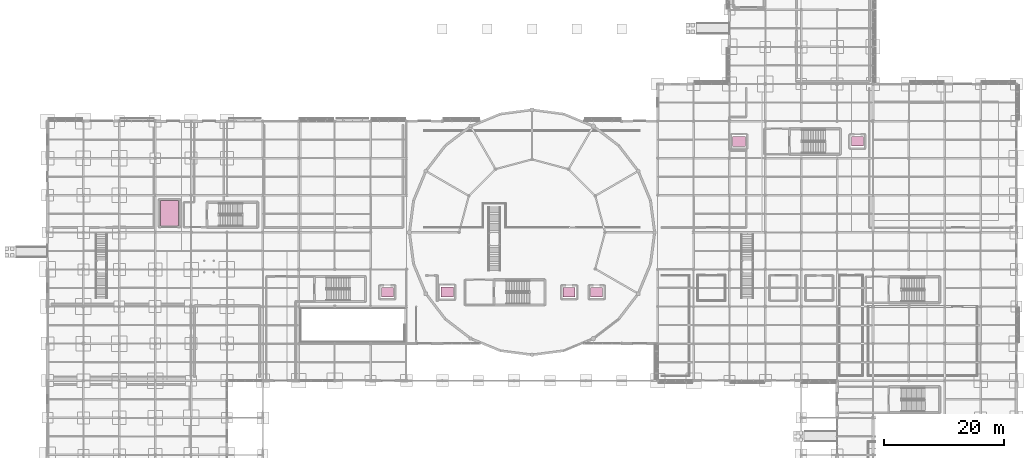
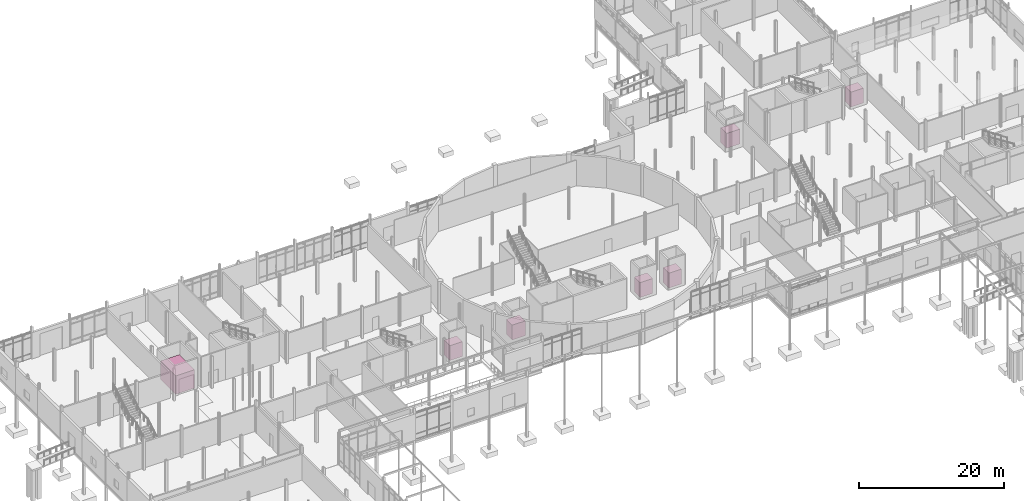
# One storey, part 98 of 98: 7 transport elements.
"""IFC4 building model written with IfcOpenShell, lengths in metres."""

from ifc_helpers import new_model, si_unit, direction, frame, origin, origin_2d, place, context, subcontext, project, spatial, rectangle, extrude, material, type_object, element, save


model = new_model("IFC4")

# Units and contexts
model_context = context("Model", 3, precision=1e-05, world=origin(), true_north=direction((0.0, 1.0)))
body_context = subcontext(model_context, "Body", "Model", "MODEL_VIEW")
ifc_project = project(units=[si_unit("LENGTHUNIT", "METRE"), si_unit("AREAUNIT", "SQUARE_METRE"), si_unit("VOLUMEUNIT", "CUBIC_METRE"), si_unit("PLANEANGLEUNIT", "RADIAN"), si_unit("MASSUNIT", "GRAM", prefix="KILO")], contexts=[model_context])

# Site, building, storey
site_placement = place(None, origin())
site = spatial("IfcSite", under=ifc_project, at=site_placement, CompositionType="ELEMENT")
building_placement = place(site_placement, origin())
building = spatial("IfcBuilding", under=site, at=building_placement, Name="Mirzam Square Science Centre", CompositionType="ELEMENT")
storey_placement = place(building_placement, origin())
storey = spatial("IfcBuildingStorey", under=building, at=storey_placement, Name="L00", CompositionType="ELEMENT", Elevation=0.0)

# Transport elements
ifc_material_1 = material(Name="Firefighting Stainless Steel 316L Lift Car", Category="steel")
transport_element_type_1 = type_object("IfcTransportElementType", Name="LIFT-FIRE-2000", PredefinedType="ELEVATOR", material=ifc_material_1)
for number, where, z_axis, x_axis, name in (
    (1, (66.800048828125, 52.0, 0.0), (0.0, 0.0, 1.0), (1.0, 0.0, 0.0), "Firefighting and Stretcher Lifts LF-01"),
    (2, (115.60009765625, 77.199951171875, 0.0), (0.0, 0.0, 1.0), (1.0, 0.0, 0.0), "Firefighting and Stretcher Lifts LF-02"),
):
    element("IfcTransportElement", number, at=place(storey_placement, frame(where, z_axis=z_axis, x_axis=x_axis)), inside=storey, type_object=transport_element_type_1, Name=name, PredefinedType="ELEVATOR", context=body_context, shape_type="SweptSolid", body=[
        extrude(rectangle(XDim=2.10009765625, YDim=1.64990234375, at=origin_2d()), origin(), (0.0, 0.0, 1.0), 2.5),
    ])
ifc_material_2 = material(Name="Heavy-Duty Freight Stainless Steel Lift Car", Category="steel")
transport_element_type_2 = type_object("IfcTransportElementType", Name="LIFT-GOODS-5000", PredefinedType="ELEVATOR", material=ifc_material_2)
transport_element_placement = place(storey_placement, frame((20.39990234375, 65.199951171875, 0.0), z_axis=(0.0, 0.0, 1.0), x_axis=(1.0, 0.0, 0.0)))
element("IfcTransportElement", 3, at=transport_element_placement, inside=storey, type_object=transport_element_type_2, Name="Exhibit Freight and Goods Lift LG-01", PredefinedType="ELEVATOR", context=body_context, shape_type="SweptSolid", body=[
    extrude(rectangle(XDim=3.0, YDim=4.199951171875, at=origin_2d()), origin(), (0.0, 0.0, 1.0), 3.10009765625),
])
ifc_material_3 = material(Name="Brushed Stainless Steel 316L Lift Car", Category="steel")
transport_element_type_3 = type_object("IfcTransportElementType", Name="LIFT-PASS-1600", PredefinedType="ELEVATOR", material=ifc_material_3)
for number, where, z_axis, x_axis, name in (
    (4, (87.199951171875, 52.0, 0.0), (0.0, 0.0, 1.0), (1.0, 0.0, 0.0), "Public Passenger Lifts LP-01"),
    (5, (91.800048828125, 52.0, 0.0), (0.0, 0.0, 1.0), (1.0, 0.0, 0.0), "Public Passenger Lifts LP-02"),
    (6, (135.39990234375, 77.199951171875, 0.0), (0.0, 0.0, 1.0), (1.0, 0.0, 0.0), "Public Passenger Lifts LP-03"),
    (7, (56.800048828125, 52.0, 0.0), (0.0, 0.0, 1.0), (1.0, 0.0, 0.0), "Public Passenger Lifts LP-04"),
):
    element("IfcTransportElement", number, at=place(storey_placement, frame(where, z_axis=z_axis, x_axis=x_axis)), inside=storey, type_object=transport_element_type_3, Name=name, PredefinedType="ELEVATOR", context=body_context, shape_type="SweptSolid", body=[
        extrude(rectangle(XDim=2.0, YDim=1.60009765625, at=origin_2d()), origin(), (0.0, 0.0, 1.0), 2.5),
    ])

save(model, "model.ifc")
